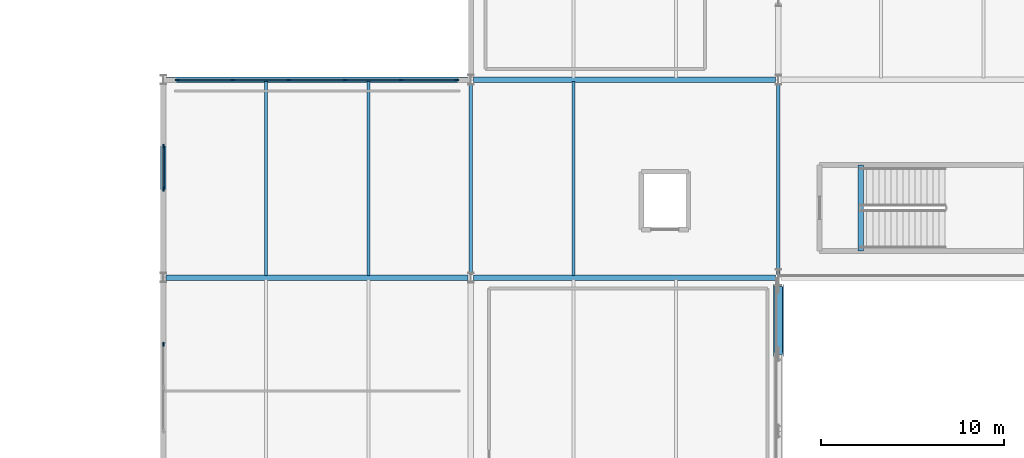
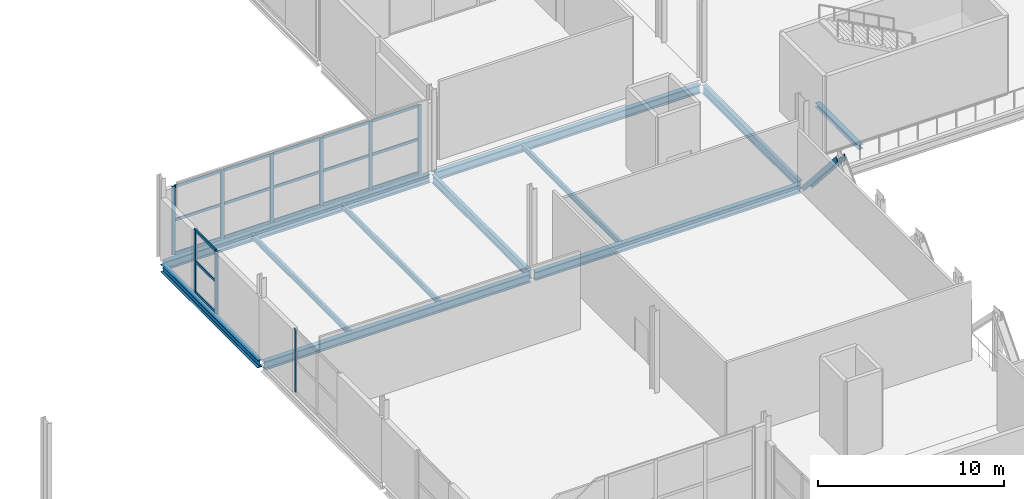
# One storey, part 26 of 84: 28 members, 11 beams, 3 elements without a shape of their own.
"""IFC4 building model written with IfcOpenShell, lengths in metres."""

from ifc_helpers import new_model, si_unit, direction, frame, origin, origin_2d, place, context, subcontext, project, spatial, rectangle, i_section, extrude, material, material_profile, profile_set, type_object, element, aggregate, save


model = new_model("IFC4")

# Units and contexts
model_context = context("Model", 3, precision=1e-05, world=origin(), true_north=direction((0.0, 1.0)))
body_context = subcontext(model_context, "Body", "Model", "MODEL_VIEW")
ifc_project = project(units=[si_unit("LENGTHUNIT", "METRE"), si_unit("AREAUNIT", "SQUARE_METRE"), si_unit("VOLUMEUNIT", "CUBIC_METRE"), si_unit("PLANEANGLEUNIT", "RADIAN"), si_unit("MASSUNIT", "GRAM", prefix="KILO")], contexts=[model_context])

# Site, building, storey
site_placement = place(None, origin())
site = spatial("IfcSite", under=ifc_project, at=site_placement, CompositionType="ELEMENT")
building_placement = place(site_placement, origin())
building = spatial("IfcBuilding", under=site, at=building_placement, Name="Kimbaza Rail Terminus", CompositionType="ELEMENT")
storey_placement = place(building_placement, frame((0.0, 0.0, 5.39990234375)))
storey = spatial("IfcBuildingStorey", under=building, at=storey_placement, Name="L01", CompositionType="ELEMENT", Elevation=5.39990234375)

# Curtain wall, members
ifc_material_1 = material(Name="Anodised aluminium framing and solar low-E glazing", Category="aluminium")
curtain_wall_type = type_object("IfcCurtainWallType", Name="ARC-CW-TH1", PredefinedType="USERDEFINED", material=ifc_material_1)
curtain_wall_1_placement = place(storey_placement, origin())
curtain_wall_1 = element("IfcCurtainWall", 1, at=curtain_wall_1_placement, inside=storey, type_object=curtain_wall_type, Name="Ticket Hall Wing W Curtain Wall L01.1", ObjectType="UNITISED CURTAIN WALL", PredefinedType="USERDEFINED")
ifc_material_2 = material(Name="Anodised architectural aluminium", Category="aluminium")
ifc_material_profile_1 = material_profile(ifc_material_2, rectangle(XDim=0.074951171875, YDim=0.219970703125, at=origin_2d()), Name="MULLION 75x220")
ifc_profile_set_1 = profile_set([ifc_material_profile_1], Name="Anodised architectural aluminium")
member_type_1 = type_object("IfcMemberType", Name="ARC-CWM-01", PredefinedType="MULLION", material=ifc_profile_set_1)
member_1_placement = place(storey_placement, frame((39.157470703125, 91.0, 0.0), z_axis=(0.0, 0.0, 1.0), x_axis=(0.0, 1.0, 0.0)))
member_1 = element("IfcMember", 2, at=member_1_placement, type_object=member_type_1, Name="CW-01 mullion 1", PredefinedType="MULLION", context=body_context, shape_type="SweptSolid", body=[
    extrude(rectangle(XDim=0.074951171875, YDim=0.219970703125, at=origin_2d()), origin(), (0.0, 0.0, 1.0), 4.485107421875),
])
member_2_placement = place(storey_placement, frame((42.19189453125, 91.0, 0.0), z_axis=(0.0, 0.0, 1.0), x_axis=(0.0, 1.0, 0.0)))
member_2 = element("IfcMember", 3, at=member_2_placement, type_object=member_type_1, Name="CW-01 mullion 2", PredefinedType="MULLION", context=body_context, shape_type="SweptSolid", body=[
    extrude(rectangle(XDim=0.074951171875, YDim=0.219970703125, at=origin_2d()), origin(), (0.0, 0.0, 1.0), 4.485107421875),
])
member_3_placement = place(storey_placement, frame((45.263916015625, 91.0, 0.0), z_axis=(0.0, 0.0, 1.0), x_axis=(0.0, 1.0, 0.0)))
member_3 = element("IfcMember", 4, at=member_3_placement, type_object=member_type_1, Name="CW-01 mullion 3", PredefinedType="MULLION", context=body_context, shape_type="SweptSolid", body=[
    extrude(rectangle(XDim=0.074951171875, YDim=0.219970703125, at=origin_2d()), origin(), (0.0, 0.0, 1.0), 4.485107421875),
])
member_4_placement = place(storey_placement, frame((48.3359375, 91.0, 0.0), z_axis=(0.0, 0.0, 1.0), x_axis=(0.0, 1.0, 0.0)))
member_4 = element("IfcMember", 5, at=member_4_placement, type_object=member_type_1, Name="CW-01 mullion 4", PredefinedType="MULLION", context=body_context, shape_type="SweptSolid", body=[
    extrude(rectangle(XDim=0.074951171875, YDim=0.219970703125, at=origin_2d()), origin(), (0.0, 0.0, 1.0), 4.485107421875),
])
member_5_placement = place(storey_placement, frame((51.407958984375, 91.0, 0.0), z_axis=(0.0, 0.0, 1.0), x_axis=(0.0, 1.0, 0.0)))
member_5 = element("IfcMember", 6, at=member_5_placement, type_object=member_type_1, Name="CW-01 mullion 5", PredefinedType="MULLION", context=body_context, shape_type="SweptSolid", body=[
    extrude(rectangle(XDim=0.074951171875, YDim=0.219970703125, at=origin_2d()), origin(), (0.0, 0.0, 1.0), 4.485107421875),
])
member_6_placement = place(storey_placement, frame((54.4423828125, 91.0, 0.0), z_axis=(0.0, 0.0, 1.0), x_axis=(0.0, 1.0, 0.0)))
member_6 = element("IfcMember", 7, at=member_6_placement, type_object=member_type_1, Name="CW-01 mullion 6", PredefinedType="MULLION", context=body_context, shape_type="SweptSolid", body=[
    extrude(rectangle(XDim=0.074951171875, YDim=0.219970703125, at=origin_2d()), origin(), (0.0, 0.0, 1.0), 4.485107421875),
])

# Curtain wall, member
curtain_wall_2_placement = place(storey_placement, origin())
curtain_wall_2 = element("IfcCurtainWall", 8, at=curtain_wall_2_placement, inside=storey, type_object=curtain_wall_type, Name="Ticket Hall W Glazing L01.2", ObjectType="UNITISED CURTAIN WALL", PredefinedType="USERDEFINED")
member_7_placement = place(storey_placement, frame((38.39990234375, 76.5625, 0.0), z_axis=(0.0, 0.0, 1.0), x_axis=(-1.0, 0.0, 0.0)))
member_7 = element("IfcMember", 9, at=member_7_placement, type_object=member_type_1, Name="CW-01 mullion 3", PredefinedType="MULLION", context=body_context, shape_type="SweptSolid", body=[
    extrude(rectangle(XDim=0.074951171875, YDim=0.219970703125, at=origin_2d()), origin(), (0.0, 0.0, 1.0), 4.125),
])
aggregate(curtain_wall_2, [member_7])

# Curtain wall, members
curtain_wall_3_placement = place(storey_placement, origin())
curtain_wall_3 = element("IfcCurtainWall", 10, at=curtain_wall_3_placement, inside=storey, type_object=curtain_wall_type, Name="Ticket Hall W Glazing L01.3", ObjectType="UNITISED CURTAIN WALL", PredefinedType="USERDEFINED")
member_8_placement = place(storey_placement, frame((38.39990234375, 85.03759765625, 0.0), z_axis=(0.0, 0.0, 1.0), x_axis=(-1.0, 0.0, 0.0)))
member_8 = element("IfcMember", 11, at=member_8_placement, type_object=member_type_1, Name="CW-01 mullion 1", PredefinedType="MULLION", context=body_context, shape_type="SweptSolid", body=[
    extrude(rectangle(XDim=0.074951171875, YDim=0.219970703125, at=origin_2d()), origin(), (0.0, 0.0, 1.0), 4.125),
])
member_9_placement = place(storey_placement, frame((38.39990234375, 87.362548828125, 0.0), z_axis=(0.0, 0.0, 1.0), x_axis=(-1.0, 0.0, 0.0)))
member_9 = element("IfcMember", 12, at=member_9_placement, type_object=member_type_1, Name="CW-01 mullion 2", PredefinedType="MULLION", context=body_context, shape_type="SweptSolid", body=[
    extrude(rectangle(XDim=0.074951171875, YDim=0.219970703125, at=origin_2d()), origin(), (0.0, 0.0, 1.0), 4.125),
])

# Member
ifc_material_3 = material(Name="Anodised architectural aluminium", Category="aluminium")
ifc_material_profile_2 = material_profile(ifc_material_3, rectangle(XDim=0.074951171875, YDim=0.179931640625, at=origin_2d()), Name="TRANSOM 75x180")
ifc_profile_set_2 = profile_set([ifc_material_profile_2], Name="Anodised architectural aluminium")
member_type_2 = type_object("IfcMemberType", Name="ARC-CWT-01", PredefinedType="USERDEFINED", material=ifc_profile_set_2)
member_10_placement = place(storey_placement, frame((39.195068359375, 91.0, 0.03759765625), z_axis=(1.0, 0.0, 0.0), x_axis=(0.0, 1.0, 0.0)))
member_10 = element("IfcMember", 13, at=member_10_placement, type_object=member_type_2, Name="CW-01 transom 1.1", ObjectType="TRANSOM", PredefinedType="USERDEFINED", context=body_context, shape_type="SweptSolid", body=[
    extrude(rectangle(XDim=0.074951171875, YDim=0.179931640625, at=origin_2d()), origin(), (0.0, 0.0, 1.0), 2.95947265625),
])

member_11_placement = place(storey_placement, frame((39.195068359375, 91.0, 2.24267578125), z_axis=(1.0, 0.0, 0.0), x_axis=(0.0, 1.0, 0.0)))
member_11 = element("IfcMember", 14, at=member_11_placement, type_object=member_type_2, Name="CW-01 transom 1.2", ObjectType="TRANSOM", PredefinedType="USERDEFINED", context=body_context, shape_type="SweptSolid", body=[
    extrude(rectangle(XDim=0.074951171875, YDim=0.179931640625, at=origin_2d()), origin(), (0.0, 0.0, 1.0), 2.95947265625),
])

member_12_placement = place(storey_placement, frame((39.195068359375, 91.0, 4.447509765625), z_axis=(1.0, 0.0, 0.0), x_axis=(0.0, 1.0, 0.0)))
member_12 = element("IfcMember", 15, at=member_12_placement, type_object=member_type_2, Name="CW-01 transom 1.3", ObjectType="TRANSOM", PredefinedType="USERDEFINED", context=body_context, shape_type="SweptSolid", body=[
    extrude(rectangle(XDim=0.074951171875, YDim=0.179931640625, at=origin_2d()), origin(), (0.0, 0.0, 1.0), 2.95947265625),
])

member_13_placement = place(storey_placement, frame((42.2294921875, 91.0, 0.03759765625), z_axis=(1.0, 0.0, 0.0), x_axis=(0.0, 1.0, 0.0)))
member_13 = element("IfcMember", 16, at=member_13_placement, type_object=member_type_2, Name="CW-01 transom 2.1", ObjectType="TRANSOM", PredefinedType="USERDEFINED", context=body_context, shape_type="SweptSolid", body=[
    extrude(rectangle(XDim=0.074951171875, YDim=0.179931640625, at=origin_2d()), origin(), (0.0, 0.0, 1.0), 2.9970703125),
])

member_14_placement = place(storey_placement, frame((42.2294921875, 91.0, 2.24267578125), z_axis=(1.0, 0.0, 0.0), x_axis=(0.0, 1.0, 0.0)))
member_14 = element("IfcMember", 17, at=member_14_placement, type_object=member_type_2, Name="CW-01 transom 2.2", ObjectType="TRANSOM", PredefinedType="USERDEFINED", context=body_context, shape_type="SweptSolid", body=[
    extrude(rectangle(XDim=0.074951171875, YDim=0.179931640625, at=origin_2d()), origin(), (0.0, 0.0, 1.0), 2.9970703125),
])

member_15_placement = place(storey_placement, frame((42.2294921875, 91.0, 4.447509765625), z_axis=(1.0, 0.0, 0.0), x_axis=(0.0, 1.0, 0.0)))
member_15 = element("IfcMember", 18, at=member_15_placement, type_object=member_type_2, Name="CW-01 transom 2.3", ObjectType="TRANSOM", PredefinedType="USERDEFINED", context=body_context, shape_type="SweptSolid", body=[
    extrude(rectangle(XDim=0.074951171875, YDim=0.179931640625, at=origin_2d()), origin(), (0.0, 0.0, 1.0), 2.9970703125),
])

member_16_placement = place(storey_placement, frame((45.301513671875, 91.0, 0.03759765625), z_axis=(1.0, 0.0, 0.0), x_axis=(0.0, 1.0, 0.0)))
member_16 = element("IfcMember", 19, at=member_16_placement, type_object=member_type_2, Name="CW-01 transom 3.1", ObjectType="TRANSOM", PredefinedType="USERDEFINED", context=body_context, shape_type="SweptSolid", body=[
    extrude(rectangle(XDim=0.074951171875, YDim=0.179931640625, at=origin_2d()), origin(), (0.0, 0.0, 1.0), 2.9970703125),
])

member_17_placement = place(storey_placement, frame((45.301513671875, 91.0, 2.24267578125), z_axis=(1.0, 0.0, 0.0), x_axis=(0.0, 1.0, 0.0)))
member_17 = element("IfcMember", 20, at=member_17_placement, type_object=member_type_2, Name="CW-01 transom 3.2", ObjectType="TRANSOM", PredefinedType="USERDEFINED", context=body_context, shape_type="SweptSolid", body=[
    extrude(rectangle(XDim=0.074951171875, YDim=0.179931640625, at=origin_2d()), origin(), (0.0, 0.0, 1.0), 2.9970703125),
])

member_18_placement = place(storey_placement, frame((45.301513671875, 91.0, 4.447509765625), z_axis=(1.0, 0.0, 0.0), x_axis=(0.0, 1.0, 0.0)))
member_18 = element("IfcMember", 21, at=member_18_placement, type_object=member_type_2, Name="CW-01 transom 3.3", ObjectType="TRANSOM", PredefinedType="USERDEFINED", context=body_context, shape_type="SweptSolid", body=[
    extrude(rectangle(XDim=0.074951171875, YDim=0.179931640625, at=origin_2d()), origin(), (0.0, 0.0, 1.0), 2.9970703125),
])

member_19_placement = place(storey_placement, frame((48.37353515625, 91.0, 0.03759765625), z_axis=(1.0, 0.0, 0.0), x_axis=(0.0, 1.0, 0.0)))
member_19 = element("IfcMember", 22, at=member_19_placement, type_object=member_type_2, Name="CW-01 transom 4.1", ObjectType="TRANSOM", PredefinedType="USERDEFINED", context=body_context, shape_type="SweptSolid", body=[
    extrude(rectangle(XDim=0.074951171875, YDim=0.179931640625, at=origin_2d()), origin(), (0.0, 0.0, 1.0), 2.9970703125),
])

member_20_placement = place(storey_placement, frame((48.37353515625, 91.0, 2.24267578125), z_axis=(1.0, 0.0, 0.0), x_axis=(0.0, 1.0, 0.0)))
member_20 = element("IfcMember", 23, at=member_20_placement, type_object=member_type_2, Name="CW-01 transom 4.2", ObjectType="TRANSOM", PredefinedType="USERDEFINED", context=body_context, shape_type="SweptSolid", body=[
    extrude(rectangle(XDim=0.074951171875, YDim=0.179931640625, at=origin_2d()), origin(), (0.0, 0.0, 1.0), 2.9970703125),
])

member_21_placement = place(storey_placement, frame((48.37353515625, 91.0, 4.447509765625), z_axis=(1.0, 0.0, 0.0), x_axis=(0.0, 1.0, 0.0)))
member_21 = element("IfcMember", 24, at=member_21_placement, type_object=member_type_2, Name="CW-01 transom 4.3", ObjectType="TRANSOM", PredefinedType="USERDEFINED", context=body_context, shape_type="SweptSolid", body=[
    extrude(rectangle(XDim=0.074951171875, YDim=0.179931640625, at=origin_2d()), origin(), (0.0, 0.0, 1.0), 2.9970703125),
])

member_22_placement = place(storey_placement, frame((51.445556640625, 91.0, 0.03759765625), z_axis=(1.0, 0.0, 0.0), x_axis=(0.0, 1.0, 0.0)))
member_22 = element("IfcMember", 25, at=member_22_placement, type_object=member_type_2, Name="CW-01 transom 5.1", ObjectType="TRANSOM", PredefinedType="USERDEFINED", context=body_context, shape_type="SweptSolid", body=[
    extrude(rectangle(XDim=0.074951171875, YDim=0.179931640625, at=origin_2d()), origin(), (0.0, 0.0, 1.0), 2.95947265625),
])

member_23_placement = place(storey_placement, frame((51.445556640625, 91.0, 2.24267578125), z_axis=(1.0, 0.0, 0.0), x_axis=(0.0, 1.0, 0.0)))
member_23 = element("IfcMember", 26, at=member_23_placement, type_object=member_type_2, Name="CW-01 transom 5.2", ObjectType="TRANSOM", PredefinedType="USERDEFINED", context=body_context, shape_type="SweptSolid", body=[
    extrude(rectangle(XDim=0.074951171875, YDim=0.179931640625, at=origin_2d()), origin(), (0.0, 0.0, 1.0), 2.95947265625),
])

member_24_placement = place(storey_placement, frame((51.445556640625, 91.0, 4.447509765625), z_axis=(1.0, 0.0, 0.0), x_axis=(0.0, 1.0, 0.0)))
member_24 = element("IfcMember", 27, at=member_24_placement, type_object=member_type_2, Name="CW-01 transom 5.3", ObjectType="TRANSOM", PredefinedType="USERDEFINED", context=body_context, shape_type="SweptSolid", body=[
    extrude(rectangle(XDim=0.074951171875, YDim=0.179931640625, at=origin_2d()), origin(), (0.0, 0.0, 1.0), 2.95947265625),
])

aggregate(curtain_wall_1, [member_1, member_2, member_3, member_4, member_5, member_6, member_10, member_11, member_12, member_13, member_14, member_15, member_16, member_17, member_18, member_19, member_20, member_21, member_22, member_23, member_24])

member_25_placement = place(storey_placement, frame((38.39990234375, 85.074951171875, 0.03759765625), z_axis=(0.0, 1.0, 0.0), x_axis=(-1.0, 0.0, 0.0)))
member_25 = element("IfcMember", 28, at=member_25_placement, type_object=member_type_2, Name="CW-01 transom 1.1", ObjectType="TRANSOM", PredefinedType="USERDEFINED", context=body_context, shape_type="SweptSolid", body=[
    extrude(rectangle(XDim=0.074951171875, YDim=0.179931640625, at=origin_2d()), origin(), (0.0, 0.0, 1.0), 2.25),
])

member_26_placement = place(storey_placement, frame((38.39990234375, 85.074951171875, 2.0625), z_axis=(0.0, 1.0, 0.0), x_axis=(-1.0, 0.0, 0.0)))
member_26 = element("IfcMember", 29, at=member_26_placement, type_object=member_type_2, Name="CW-01 transom 1.2", ObjectType="TRANSOM", PredefinedType="USERDEFINED", context=body_context, shape_type="SweptSolid", body=[
    extrude(rectangle(XDim=0.074951171875, YDim=0.179931640625, at=origin_2d()), origin(), (0.0, 0.0, 1.0), 2.25),
])

member_27_placement = place(storey_placement, frame((38.39990234375, 85.074951171875, 4.087646484375), z_axis=(0.0, 1.0, 0.0), x_axis=(-1.0, 0.0, 0.0)))
member_27 = element("IfcMember", 30, at=member_27_placement, type_object=member_type_2, Name="CW-01 transom 1.3", ObjectType="TRANSOM", PredefinedType="USERDEFINED", context=body_context, shape_type="SweptSolid", body=[
    extrude(rectangle(XDim=0.074951171875, YDim=0.179931640625, at=origin_2d()), origin(), (0.0, 0.0, 1.0), 2.25),
])

aggregate(curtain_wall_3, [member_8, member_9, member_25, member_26, member_27])

# Beams
ifc_material_4 = material(Name="Steel S355", Category="steel")
ifc_material_profile_3 = material_profile(ifc_material_4, i_section(OverallWidth=0.300048828125, OverallDepth=0.2900390625, WebThickness=0.008544921875, FlangeThickness=0.013916015625, FilletRadius=0.027099609375, at=origin_2d()), Name="HEA 300")
ifc_profile_set_3 = profile_set([ifc_material_profile_3], Name="Steel S355")
beam_type_1 = type_object("IfcBeamType", Name="STR-BM-HEA300", PredefinedType="SPANDREL", material=ifc_profile_set_3)
beam_1_placement = place(storey_placement, frame((76.5, 81.659912109375, -0.364990234375), z_axis=(0.0, 1.0, 0.0), x_axis=(-1.0, 0.0, 0.0)))
element("IfcBeam", 31, at=beam_1_placement, inside=storey, type_object=beam_type_1, Name="Platform West Concourse Stair Landing Trimmer Beam L01", PredefinedType="SPANDREL", context=body_context, shape_type="SweptSolid", body=[
    extrude(i_section(OverallWidth=0.300048828125, OverallDepth=0.2900390625, WebThickness=0.008544921875, FlangeThickness=0.013916015625, FilletRadius=0.027099609375, at=origin_2d()), origin(), (0.0, 0.0, 1.0), 4.68017578125),
])
ifc_material_5 = material(Name="Steel S355", Category="steel")
ifc_material_profile_4 = material_profile(ifc_material_5, i_section(OverallWidth=0.300048828125, OverallDepth=0.5, WebThickness=0.014404296875, FlangeThickness=0.028076171875, FilletRadius=0.027099609375, at=origin_2d()), Name="HEB 500")
ifc_profile_set_4 = profile_set([ifc_material_profile_4], Name="Steel S355")
beam_type_2 = type_object("IfcBeamType", Name="STR-BM-HEB500", PredefinedType="BEAM", material=ifc_profile_set_4)
beam_2_placement = place(storey_placement, frame((38.39990234375, 80.375, -0.469970703125), z_axis=(0.0, 1.0, 0.0), x_axis=(-1.0, 0.0, 0.0)))
element("IfcBeam", 32, at=beam_2_placement, inside=storey, type_object=beam_type_2, Name="Beam BM-V2WY-L01-0-80", PredefinedType="BEAM", context=body_context, shape_type="SweptSolid", body=[
    extrude(i_section(OverallWidth=0.300048828125, OverallDepth=0.5, WebThickness=0.014404296875, FlangeThickness=0.028076171875, FilletRadius=0.027099609375, at=origin_2d()), origin(), (0.0, 0.0, 1.0), 10.449951171875),
])
ifc_material_6 = material(Name="Steel S355", Category="steel")
ifc_material_profile_5 = material_profile(ifc_material_6, i_section(OverallWidth=0.300048828125, OverallDepth=0.550048828125, WebThickness=0.014892578125, FlangeThickness=0.029052734375, FilletRadius=0.027099609375, at=origin_2d()), Name="HEB 550")
ifc_profile_set_5 = profile_set([ifc_material_profile_5], Name="Steel S355")
beam_type_3 = type_object("IfcBeamType", Name="STR-BM-HEB550", PredefinedType="BEAM", material=ifc_profile_set_5)
for number, where, z_axis, x_axis, name in (
    (33, (38.5458984375, 80.199951171875, -0.494873046875), (1.0, 0.0, 0.0), (0.0, 1.0, 0.0), "Beam BM-V2X-L01-80-0"),
    (34, (55.345947265625, 80.199951171875, -0.494873046875), (1.0, 0.0, 0.0), (0.0, 1.0, 0.0), "Beam BM-V2X-L01-80-1"),
    (35, (38.5458984375, 91.0, -0.494873046875), (1.0, 0.0, 0.0), (0.0, 1.0, 0.0), "Beam BM-V2X-L01-91-0"),
    (36, (55.345947265625, 91.0, -0.494873046875), (1.0, 0.0, 0.0), (0.0, 1.0, 0.0), "Beam BM-V2X-L01-91-1"),
):
    element("IfcBeam", number, at=place(storey_placement, frame(where, z_axis=z_axis, x_axis=x_axis)), inside=storey, type_object=beam_type_3, Name=name, PredefinedType="BEAM", context=body_context, shape_type="SweptSolid", body=[
        extrude(i_section(OverallWidth=0.300048828125, OverallDepth=0.550048828125, WebThickness=0.014892578125, FlangeThickness=0.029052734375, FilletRadius=0.027099609375, at=origin_2d()), origin(), (0.0, 0.0, 1.0), 16.508056640625),
    ])
ifc_material_7 = material(Name="Steel S355", Category="steel")
ifc_material_profile_6 = material_profile(ifc_material_7, i_section(OverallWidth=0.169921875, OverallDepth=0.360107421875, WebThickness=0.008056640625, FlangeThickness=0.0126953125, FilletRadius=0.01806640625, at=origin_2d()), Name="IPE 360")
ifc_profile_set_6 = profile_set([ifc_material_profile_6], Name="Steel S355")
beam_type_4 = type_object("IfcBeamType", Name="STR-BM-IPE360", PredefinedType="JOIST", material=ifc_profile_set_6)
for number, where, z_axis, x_axis, name in (
    (37, (60.800048828125, 80.300048828125, -0.39990234375), (0.0, 1.0, 0.0), (-1.0, 0.0, 0.0), "Beam JST-V2-L01-0-1-80"),
    (38, (44.0, 80.300048828125, -0.39990234375), (0.0, 1.0, 0.0), (-1.0, 0.0, 0.0), "Beam JST-V2W-L01-0-1-80"),
    (39, (49.60009765625, 80.300048828125, -0.39990234375), (0.0, 1.0, 0.0), (-1.0, 0.0, 0.0), "Beam JST-V2W-L01-0-2-80"),
):
    element("IfcBeam", number, at=place(storey_placement, frame(where, z_axis=z_axis, x_axis=x_axis)), inside=storey, type_object=beam_type_4, Name=name, PredefinedType="JOIST", context=body_context, shape_type="SweptSolid", body=[
        extrude(i_section(OverallWidth=0.169921875, OverallDepth=0.360107421875, WebThickness=0.008056640625, FlangeThickness=0.0126953125, FilletRadius=0.01806640625, at=origin_2d()), origin(), (0.0, 0.0, 1.0), 10.599853515625),
    ])
ifc_material_8 = material(Name="Steel S355", Category="steel")
ifc_material_profile_7 = material_profile(ifc_material_8, i_section(OverallWidth=0.2099609375, OverallDepth=0.550048828125, WebThickness=0.010986328125, FlangeThickness=0.01708984375, FilletRadius=0.02392578125, at=origin_2d()), Name="IPE 550")
ifc_profile_set_7 = profile_set([ifc_material_profile_7], Name="Steel S355")
beam_type_5 = type_object("IfcBeamType", Name="STR-BM-IPE550", PredefinedType="BEAM", material=ifc_profile_set_7)
for number, where, z_axis, x_axis, name in (
    (40, (55.199951171875, 80.375, -0.494873046875), (0.0, 1.0, 0.0), (-1.0, 0.0, 0.0), "Beam BM-V2Y-L01-0-80"),
    (41, (72.0, 80.375, -0.494873046875), (0.0, 1.0, 0.0), (-1.0, 0.0, 0.0), "Beam BM-V2Y-L01-1-80"),
):
    element("IfcBeam", number, at=place(storey_placement, frame(where, z_axis=z_axis, x_axis=x_axis)), inside=storey, type_object=beam_type_5, Name=name, PredefinedType="BEAM", context=body_context, shape_type="SweptSolid", body=[
        extrude(i_section(OverallWidth=0.2099609375, OverallDepth=0.550048828125, WebThickness=0.010986328125, FlangeThickness=0.01708984375, FilletRadius=0.02392578125, at=origin_2d()), origin(), (0.0, 0.0, 1.0), 10.449951171875),
    ])

# Member
ifc_material_9 = material(Name="Steel S355", Category="steel")
ifc_material_profile_8 = material_profile(ifc_material_9, i_section(OverallWidth=0.300048828125, OverallDepth=0.550048828125, WebThickness=0.014892578125, FlangeThickness=0.029052734375, FilletRadius=0.027099609375, at=origin_2d()), Name="HEB 550")
ifc_profile_set_8 = profile_set([ifc_material_profile_8], Name="Steel S355")
member_type_3 = type_object("IfcMemberType", Name="STR-MB-HEB550", PredefinedType="BRACE", material=ifc_profile_set_8)
member_28_placement = place(storey_placement, frame((72.0, 76.0, 3.955078125), z_axis=(0.0, 0.660856906539, -0.750511924675), x_axis=(0.0, 0.750511924675, 0.660856906539)))
element("IfcMember", 42, at=member_28_placement, inside=storey, type_object=member_type_3, Name="Warren Transfer Truss Diagonal WT-01-6", PredefinedType="BRACE", context=body_context, shape_type="SweptSolid", body=[
    extrude(i_section(OverallWidth=0.300048828125, OverallDepth=0.550048828125, WebThickness=0.014892578125, FlangeThickness=0.029052734375, FilletRadius=0.027099609375, at=origin_2d()), origin(), (0.0, 0.0, 1.0), 5.5986328125),
])

save(model, "model.ifc")
